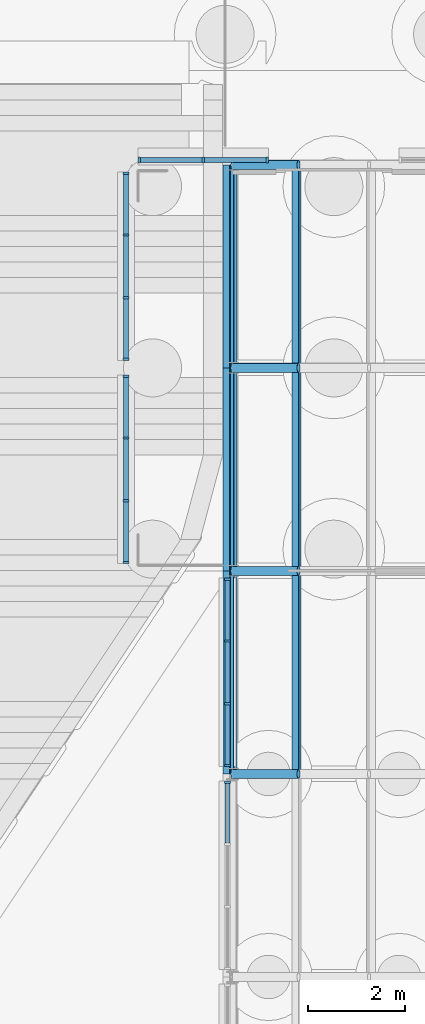
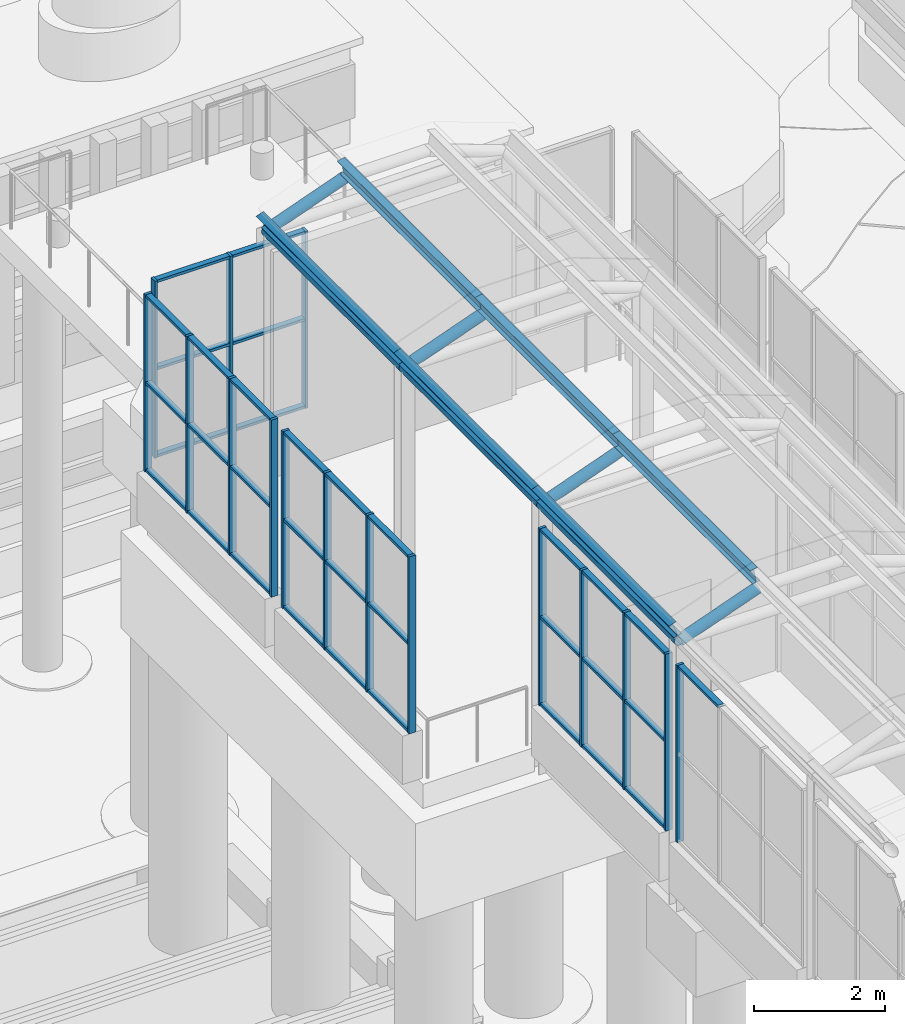
# One storey, part 63 of 222: 56 members, 7 beams, 5 elements without a shape of their own.
"""IFC4 building model written with IfcOpenShell, lengths in metres."""

from ifc_helpers import new_model, si_unit, direction, frame, origin, origin_2d, place, context, subcontext, project, spatial, rectangle, hollow_circle, i_section, extrude, material, material_profile, profile_set, type_object, element, aggregate, save


model = new_model("IFC4")

# Units and contexts
model_context = context("Model", 3, precision=1e-05, world=origin(), true_north=direction((0.0, 1.0)))
body_context = subcontext(model_context, "Body", "Model", "MODEL_VIEW")
ifc_project = project(units=[si_unit("LENGTHUNIT", "METRE"), si_unit("AREAUNIT", "SQUARE_METRE"), si_unit("VOLUMEUNIT", "CUBIC_METRE"), si_unit("PLANEANGLEUNIT", "RADIAN"), si_unit("MASSUNIT", "GRAM", prefix="KILO")], contexts=[model_context])

# Site, building, storey
site_placement = place(None, origin())
site = spatial("IfcSite", under=ifc_project, at=site_placement, CompositionType="ELEMENT")
building_placement = place(site_placement, origin())
building = spatial("IfcBuilding", under=site, at=building_placement, Name="Sava Quay Ferry Terminal", CompositionType="ELEMENT")
storey_placement = place(building_placement, origin())
storey = spatial("IfcBuildingStorey", under=building, at=storey_placement, Name="L00", CompositionType="ELEMENT", Elevation=0.0)

# Beams
ifc_material_1 = material(Name="Steel S355", Category="steel")
ifc_material_profile_1 = material_profile(ifc_material_1, hollow_circle(Radius=0.096923828125, WallThickness=0.008056640625, at=origin_2d()), Name="CHS 193.7 x 8.0")
ifc_profile_set_1 = profile_set([ifc_material_profile_1], Name="Steel S355")
beam_type_1 = type_object("IfcBeamType", Name="Gallery eave beam CHS 193.7x8", PredefinedType="BEAM", material=ifc_profile_set_1)
beam_1_placement = place(storey_placement, frame((46.199951171875, 130.199951171875, 4.5), z_axis=(0.0, 1.0, 0.0), x_axis=(-1.0, 0.0, 0.0)))
element("IfcBeam", 1, at=beam_1_placement, inside=storey, type_object=beam_type_1, Name="Boarding gallery B1 eave beam L6", PredefinedType="BEAM", context=body_context, shape_type="SweptSolid", body=[
    extrude(hollow_circle(Radius=0.096923828125, WallThickness=0.008056640625, at=origin_2d()), origin(), (0.0, 0.0, 1.0), 4.199951171875),
])
beam_2_placement = place(storey_placement, frame((46.199951171875, 134.39990234375, 4.5), z_axis=(0.0, 1.0, 0.0), x_axis=(-1.0, 0.0, 0.0)))
element("IfcBeam", 2, at=beam_2_placement, inside=storey, type_object=beam_type_1, Name="Boarding gallery B1 eave beam L7", PredefinedType="BEAM", context=body_context, shape_type="SweptSolid", body=[
    extrude(hollow_circle(Radius=0.096923828125, WallThickness=0.008056640625, at=origin_2d()), origin(), (0.0, 0.0, 1.0), 4.2001953125),
])
beam_3_placement = place(storey_placement, frame((46.199951171875, 138.60009765625, 4.5), z_axis=(0.0, 1.0, 0.0), x_axis=(-1.0, 0.0, 0.0)))
element("IfcBeam", 3, at=beam_3_placement, inside=storey, type_object=beam_type_1, Name="Boarding gallery B1 eave beam L8", PredefinedType="BEAM", context=body_context, shape_type="SweptSolid", body=[
    extrude(hollow_circle(Radius=0.096923828125, WallThickness=0.008056640625, at=origin_2d()), origin(), (0.0, 0.0, 1.0), 4.199951171875),
])

# Members
ifc_material_2 = material(Name="Steel S355", Category="steel")
ifc_material_profile_2 = material_profile(ifc_material_2, i_section(OverallWidth=0.135009765625, OverallDepth=0.27001953125, WebThickness=0.006591796875, FlangeThickness=0.01025390625, at=origin_2d()), Name="IPE 270")
ifc_profile_set_2 = profile_set([ifc_material_profile_2], Name="Steel S355")
member_type_1 = type_object("IfcMemberType", Name="Gallery purlin IPE 270", PredefinedType="PURLIN", material=ifc_profile_set_2)
for number, where, z_axis, x_axis, name in (
    (4, (46.12060546875, 130.199951171875, 4.718017578125), (0.0, 1.0, 0.0), (-0.939692620786, 0.0, -0.342020143326), "Boarding gallery B1 edge purlin bay 6 V0"),
    (5, (47.52978515625, 130.199951171875, 5.230712890625), (0.0, 1.0, 0.0), (-0.984807753012, 0.0, -0.173648177667), "Boarding gallery B1 purlin bay 6 V1"),
):
    element("IfcMember", number, at=place(storey_placement, frame(where, z_axis=z_axis, x_axis=x_axis)), inside=storey, type_object=member_type_1, Name=name, PredefinedType="PURLIN", context=body_context, shape_type="SweptSolid", body=[
        extrude(i_section(OverallWidth=0.135009765625, OverallDepth=0.27001953125, WebThickness=0.006591796875, FlangeThickness=0.01025390625, at=origin_2d()), origin(), (0.0, 0.0, 1.0), 4.199951171875),
    ])
for number, where, z_axis, x_axis, name in (
    (6, (46.12060546875, 134.39990234375, 4.718017578125), (0.0, 1.0, 0.0), (-0.939692620786, 0.0, -0.342020143326), "Boarding gallery B1 edge purlin bay 7 V0"),
    (7, (47.52978515625, 134.39990234375, 5.230712890625), (0.0, 1.0, 0.0), (-0.984807753012, 0.0, -0.173648177667), "Boarding gallery B1 purlin bay 7 V1"),
):
    element("IfcMember", number, at=place(storey_placement, frame(where, z_axis=z_axis, x_axis=x_axis)), inside=storey, type_object=member_type_1, Name=name, PredefinedType="PURLIN", context=body_context, shape_type="SweptSolid", body=[
        extrude(i_section(OverallWidth=0.135009765625, OverallDepth=0.27001953125, WebThickness=0.006591796875, FlangeThickness=0.01025390625, at=origin_2d()), origin(), (0.0, 0.0, 1.0), 4.2001953125),
    ])
for number, where, z_axis, x_axis, name in (
    (8, (46.12060546875, 138.60009765625, 4.718017578125), (0.0, 1.0, 0.0), (-0.939692620786, 0.0, -0.342020143326), "Boarding gallery B1 edge purlin bay 8 V0"),
    (9, (47.52978515625, 138.60009765625, 5.230712890625), (0.0, 1.0, 0.0), (-0.984807753012, 0.0, -0.173648177667), "Boarding gallery B1 purlin bay 8 V1"),
):
    element("IfcMember", number, at=place(storey_placement, frame(where, z_axis=z_axis, x_axis=x_axis)), inside=storey, type_object=member_type_1, Name=name, PredefinedType="PURLIN", context=body_context, shape_type="SweptSolid", body=[
        extrude(i_section(OverallWidth=0.135009765625, OverallDepth=0.27001953125, WebThickness=0.006591796875, FlangeThickness=0.01025390625, at=origin_2d()), origin(), (0.0, 0.0, 1.0), 4.199951171875),
    ])

# Beams
ifc_material_3 = material(Name="Steel S355", Category="steel")
ifc_material_profile_3 = material_profile(ifc_material_3, hollow_circle(Radius=0.096923828125, WallThickness=0.008056640625, at=origin_2d()), Name="CHS 193.7 x 8.0")
ifc_profile_set_3 = profile_set([ifc_material_profile_3], Name="Steel S355")
beam_type_2 = type_object("IfcBeamType", Name="Gallery rib CHS 193.7x8", PredefinedType="BEAM", material=ifc_profile_set_3)
for number, where, z_axis, x_axis, name in (
    (10, (46.199951171875, 130.199951171875, 4.5), (0.939710313144, 0.0, 0.341971530059), (0.0, 1.0, 0.0), "Boarding gallery B1 arch rib R5 seg 1"),
    (11, (46.199951171875, 134.39990234375, 4.5), (0.939710313144, 0.0, 0.341971530059), (0.0, 1.0, 0.0), "Boarding gallery B1 arch rib R6 seg 1"),
    (12, (46.199951171875, 138.60009765625, 4.5), (0.939710313144, 0.0, 0.341971530059), (0.0, 1.0, 0.0), "Boarding gallery B1 arch rib R7 seg 1"),
    (13, (46.199951171875, 142.800048828125, 4.5), (0.939710313144, 0.0, 0.341971530059), (0.0, 1.0, 0.0), "Boarding gallery B1 arch rib R8 seg 1"),
):
    element("IfcBeam", number, at=place(storey_placement, frame(where, z_axis=z_axis, x_axis=x_axis)), inside=storey, type_object=beam_type_2, Name=name, PredefinedType="BEAM", context=body_context, shape_type="SweptSolid", body=[
        extrude(hollow_circle(Radius=0.096923828125, WallThickness=0.008056640625, at=origin_2d()), origin(), (0.0, 0.0, 1.0), 1.45849609375),
    ])

# Curtain wall, members
ifc_material_4 = material(Name="Aluminium and glass curtain wall, double glazed", Category="aluminium")
curtain_wall_type = type_object("IfcCurtainWallType", Name="Curtain wall CW-B gallery", PredefinedType="NOTDEFINED", material=ifc_material_4)
curtain_wall_1_placement = place(storey_placement, origin())
curtain_wall_1 = element("IfcCurtainWall", 14, at=curtain_wall_1_placement, inside=storey, type_object=curtain_wall_type, Name="Curtain wall B1-HN L00 bay 1", PredefinedType="NOTDEFINED")
ifc_material_5 = material(Name="Aluminium EN AW-6063 T6", Category="aluminium")
ifc_material_profile_4 = material_profile(ifc_material_5, rectangle(XDim=0.1201171875, YDim=0.050048828125, at=origin_2d()), Name="Mullion 50x120 aluminium")
ifc_profile_set_4 = profile_set([ifc_material_profile_4], Name="Aluminium EN AW-6063 T6")
member_type_2 = type_object("IfcMemberType", Name="Mullion 50x120 aluminium", PredefinedType="MULLION", material=ifc_profile_set_4)
member_1_placement = place(storey_placement, frame((44.27490234375, 142.89990234375, 0.89990234375), z_axis=(0.0, 0.0, 1.0), x_axis=(0.0, 1.0, 0.0)))
member_1 = element("IfcMember", 15, at=member_1_placement, type_object=member_type_2, Name="CW9 mullion 1", PredefinedType="MULLION", context=body_context, shape_type="SweptSolid", body=[
    extrude(rectangle(XDim=0.1201171875, YDim=0.050048828125, at=origin_2d()), origin(), (0.0, 0.0, 1.0), 3.300048828125),
])
member_2_placement = place(storey_placement, frame((45.60009765625, 142.89990234375, 0.89990234375), z_axis=(0.0, 0.0, 1.0), x_axis=(0.0, 1.0, 0.0)))
member_2 = element("IfcMember", 16, at=member_2_placement, type_object=member_type_2, Name="CW9 mullion 2", PredefinedType="MULLION", context=body_context, shape_type="SweptSolid", body=[
    extrude(rectangle(XDim=0.1201171875, YDim=0.050048828125, at=origin_2d()), origin(), (0.0, 0.0, 1.0), 3.300048828125),
])
member_3_placement = place(storey_placement, frame((46.925048828125, 142.89990234375, 0.89990234375), z_axis=(0.0, 0.0, 1.0), x_axis=(0.0, 1.0, 0.0)))
member_3 = element("IfcMember", 17, at=member_3_placement, type_object=member_type_2, Name="CW9 mullion 3", PredefinedType="MULLION", context=body_context, shape_type="SweptSolid", body=[
    extrude(rectangle(XDim=0.1201171875, YDim=0.050048828125, at=origin_2d()), origin(), (0.0, 0.0, 1.0), 3.300048828125),
])

curtain_wall_2_placement = place(storey_placement, origin())
curtain_wall_2 = element("IfcCurtainWall", 18, at=curtain_wall_2_placement, inside=storey, type_object=curtain_wall_type, Name="Curtain wall B1-HW L00 bay 1", PredefinedType="NOTDEFINED")
member_4_placement = place(storey_placement, frame((44.0, 134.574951171875, 0.89990234375), z_axis=(0.0, 0.0, 1.0), x_axis=(-1.0, 0.0, 0.0)))
member_4 = element("IfcMember", 19, at=member_4_placement, type_object=member_type_2, Name="CW11 mullion 1", PredefinedType="MULLION", context=body_context, shape_type="SweptSolid", body=[
    extrude(rectangle(XDim=0.1201171875, YDim=0.050048828125, at=origin_2d()), origin(), (0.0, 0.0, 1.0), 3.300048828125),
])
member_5_placement = place(storey_placement, frame((44.0, 135.85009765625, 0.89990234375), z_axis=(0.0, 0.0, 1.0), x_axis=(-1.0, 0.0, 0.0)))
member_5 = element("IfcMember", 20, at=member_5_placement, type_object=member_type_2, Name="CW11 mullion 2", PredefinedType="MULLION", context=body_context, shape_type="SweptSolid", body=[
    extrude(rectangle(XDim=0.1201171875, YDim=0.050048828125, at=origin_2d()), origin(), (0.0, 0.0, 1.0), 3.300048828125),
])
member_6_placement = place(storey_placement, frame((44.0, 137.14990234375, 0.89990234375), z_axis=(0.0, 0.0, 1.0), x_axis=(-1.0, 0.0, 0.0)))
member_6 = element("IfcMember", 21, at=member_6_placement, type_object=member_type_2, Name="CW11 mullion 3", PredefinedType="MULLION", context=body_context, shape_type="SweptSolid", body=[
    extrude(rectangle(XDim=0.1201171875, YDim=0.050048828125, at=origin_2d()), origin(), (0.0, 0.0, 1.0), 3.300048828125),
])
member_7_placement = place(storey_placement, frame((44.0, 138.425048828125, 0.89990234375), z_axis=(0.0, 0.0, 1.0), x_axis=(-1.0, 0.0, 0.0)))
member_7 = element("IfcMember", 22, at=member_7_placement, type_object=member_type_2, Name="CW11 mullion 4", PredefinedType="MULLION", context=body_context, shape_type="SweptSolid", body=[
    extrude(rectangle(XDim=0.1201171875, YDim=0.050048828125, at=origin_2d()), origin(), (0.0, 0.0, 1.0), 3.300048828125),
])

curtain_wall_3_placement = place(storey_placement, origin())
curtain_wall_3 = element("IfcCurtainWall", 23, at=curtain_wall_3_placement, inside=storey, type_object=curtain_wall_type, Name="Curtain wall B1-HW L00 bay 2", PredefinedType="NOTDEFINED")
member_8_placement = place(storey_placement, frame((44.0, 138.77490234375, 0.89990234375), z_axis=(0.0, 0.0, 1.0), x_axis=(-1.0, 0.0, 0.0)))
member_8 = element("IfcMember", 24, at=member_8_placement, type_object=member_type_2, Name="CW12 mullion 1", PredefinedType="MULLION", context=body_context, shape_type="SweptSolid", body=[
    extrude(rectangle(XDim=0.1201171875, YDim=0.050048828125, at=origin_2d()), origin(), (0.0, 0.0, 1.0), 3.300048828125),
])
member_9_placement = place(storey_placement, frame((44.0, 140.050048828125, 0.89990234375), z_axis=(0.0, 0.0, 1.0), x_axis=(-1.0, 0.0, 0.0)))
member_9 = element("IfcMember", 25, at=member_9_placement, type_object=member_type_2, Name="CW12 mullion 2", PredefinedType="MULLION", context=body_context, shape_type="SweptSolid", body=[
    extrude(rectangle(XDim=0.1201171875, YDim=0.050048828125, at=origin_2d()), origin(), (0.0, 0.0, 1.0), 3.300048828125),
])
member_10_placement = place(storey_placement, frame((44.0, 141.35009765625, 0.89990234375), z_axis=(0.0, 0.0, 1.0), x_axis=(-1.0, 0.0, 0.0)))
member_10 = element("IfcMember", 26, at=member_10_placement, type_object=member_type_2, Name="CW12 mullion 3", PredefinedType="MULLION", context=body_context, shape_type="SweptSolid", body=[
    extrude(rectangle(XDim=0.1201171875, YDim=0.050048828125, at=origin_2d()), origin(), (0.0, 0.0, 1.0), 3.300048828125),
])
member_11_placement = place(storey_placement, frame((44.0, 142.625, 0.89990234375), z_axis=(0.0, 0.0, 1.0), x_axis=(-1.0, 0.0, 0.0)))
member_11 = element("IfcMember", 27, at=member_11_placement, type_object=member_type_2, Name="CW12 mullion 4", PredefinedType="MULLION", context=body_context, shape_type="SweptSolid", body=[
    extrude(rectangle(XDim=0.1201171875, YDim=0.050048828125, at=origin_2d()), origin(), (0.0, 0.0, 1.0), 3.300048828125),
])

# Curtain wall, member
curtain_wall_4_placement = place(storey_placement, origin())
curtain_wall_4 = element("IfcCurtainWall", 28, at=curtain_wall_4_placement, inside=storey, type_object=curtain_wall_type, Name="Curtain wall B1-W L00 bay 5", PredefinedType="NOTDEFINED")
member_12_placement = place(storey_placement, frame((46.10009765625, 130.02490234375, 0.89990234375), z_axis=(0.0, 0.0, 1.0), x_axis=(-1.0, 0.0, 0.0)))
member_12 = element("IfcMember", 29, at=member_12_placement, type_object=member_type_2, Name="CW17 mullion 4", PredefinedType="MULLION", context=body_context, shape_type="SweptSolid", body=[
    extrude(rectangle(XDim=0.1201171875, YDim=0.050048828125, at=origin_2d()), origin(), (0.0, 0.0, 1.0), 3.300048828125),
])

# Curtain wall, members
curtain_wall_5_placement = place(storey_placement, origin())
curtain_wall_5 = element("IfcCurtainWall", 30, at=curtain_wall_5_placement, inside=storey, type_object=curtain_wall_type, Name="Curtain wall B1-W L00 bay 6", PredefinedType="NOTDEFINED")
member_13_placement = place(storey_placement, frame((46.10009765625, 130.375, 0.89990234375), z_axis=(0.0, 0.0, 1.0), x_axis=(-1.0, 0.0, 0.0)))
member_13 = element("IfcMember", 31, at=member_13_placement, type_object=member_type_2, Name="CW18 mullion 1", PredefinedType="MULLION", context=body_context, shape_type="SweptSolid", body=[
    extrude(rectangle(XDim=0.1201171875, YDim=0.050048828125, at=origin_2d()), origin(), (0.0, 0.0, 1.0), 3.300048828125),
])
member_14_placement = place(storey_placement, frame((46.10009765625, 131.64990234375, 0.89990234375), z_axis=(0.0, 0.0, 1.0), x_axis=(-1.0, 0.0, 0.0)))
member_14 = element("IfcMember", 32, at=member_14_placement, type_object=member_type_2, Name="CW18 mullion 2", PredefinedType="MULLION", context=body_context, shape_type="SweptSolid", body=[
    extrude(rectangle(XDim=0.1201171875, YDim=0.050048828125, at=origin_2d()), origin(), (0.0, 0.0, 1.0), 3.300048828125),
])
member_15_placement = place(storey_placement, frame((46.10009765625, 132.949951171875, 0.89990234375), z_axis=(0.0, 0.0, 1.0), x_axis=(-1.0, 0.0, 0.0)))
member_15 = element("IfcMember", 33, at=member_15_placement, type_object=member_type_2, Name="CW18 mullion 3", PredefinedType="MULLION", context=body_context, shape_type="SweptSolid", body=[
    extrude(rectangle(XDim=0.1201171875, YDim=0.050048828125, at=origin_2d()), origin(), (0.0, 0.0, 1.0), 3.300048828125),
])
member_16_placement = place(storey_placement, frame((46.10009765625, 134.22509765625, 0.89990234375), z_axis=(0.0, 0.0, 1.0), x_axis=(-1.0, 0.0, 0.0)))
member_16 = element("IfcMember", 34, at=member_16_placement, type_object=member_type_2, Name="CW18 mullion 4", PredefinedType="MULLION", context=body_context, shape_type="SweptSolid", body=[
    extrude(rectangle(XDim=0.1201171875, YDim=0.050048828125, at=origin_2d()), origin(), (0.0, 0.0, 1.0), 3.300048828125),
])

# Member
ifc_material_6 = material(Name="Aluminium EN AW-6063 T6", Category="aluminium")
ifc_material_profile_5 = material_profile(ifc_material_6, rectangle(XDim=0.10009765625, YDim=0.050048828125, at=origin_2d()), Name="Transom 50x100 aluminium")
ifc_profile_set_5 = profile_set([ifc_material_profile_5], Name="Aluminium EN AW-6063 T6")
member_type_3 = type_object("IfcMemberType", Name="Transom 50x100 aluminium", PredefinedType="USERDEFINED", material=ifc_profile_set_5)
member_17_placement = place(storey_placement, frame((44.300048828125, 142.89990234375, 0.925048828125), z_axis=(1.0, 0.0, 0.0), x_axis=(0.0, 1.0, 0.0)))
member_17 = element("IfcMember", 35, at=member_17_placement, type_object=member_type_3, Name="CW9 transom 1.1", ObjectType="TRANSOM", PredefinedType="USERDEFINED", context=body_context, shape_type="SweptSolid", body=[
    extrude(rectangle(XDim=0.10009765625, YDim=0.050048828125, at=origin_2d()), origin(), (0.0, 0.0, 1.0), 1.27490234375),
])

member_18_placement = place(storey_placement, frame((44.300048828125, 142.89990234375, 2.550048828125), z_axis=(1.0, 0.0, 0.0), x_axis=(0.0, 1.0, 0.0)))
member_18 = element("IfcMember", 36, at=member_18_placement, type_object=member_type_3, Name="CW9 transom 1.2", ObjectType="TRANSOM", PredefinedType="USERDEFINED", context=body_context, shape_type="SweptSolid", body=[
    extrude(rectangle(XDim=0.10009765625, YDim=0.050048828125, at=origin_2d()), origin(), (0.0, 0.0, 1.0), 1.27490234375),
])

member_19_placement = place(storey_placement, frame((44.300048828125, 142.89990234375, 4.175048828125), z_axis=(1.0, 0.0, 0.0), x_axis=(0.0, 1.0, 0.0)))
member_19 = element("IfcMember", 37, at=member_19_placement, type_object=member_type_3, Name="CW9 transom 1.3", ObjectType="TRANSOM", PredefinedType="USERDEFINED", context=body_context, shape_type="SweptSolid", body=[
    extrude(rectangle(XDim=0.10009765625, YDim=0.050048828125, at=origin_2d()), origin(), (0.0, 0.0, 1.0), 1.27490234375),
])

member_20_placement = place(storey_placement, frame((45.625, 142.89990234375, 0.925048828125), z_axis=(1.0, 0.0, 0.0), x_axis=(0.0, 1.0, 0.0)))
member_20 = element("IfcMember", 38, at=member_20_placement, type_object=member_type_3, Name="CW9 transom 2.1", ObjectType="TRANSOM", PredefinedType="USERDEFINED", context=body_context, shape_type="SweptSolid", body=[
    extrude(rectangle(XDim=0.10009765625, YDim=0.050048828125, at=origin_2d()), origin(), (0.0, 0.0, 1.0), 1.27490234375),
])

member_21_placement = place(storey_placement, frame((45.625, 142.89990234375, 2.550048828125), z_axis=(1.0, 0.0, 0.0), x_axis=(0.0, 1.0, 0.0)))
member_21 = element("IfcMember", 39, at=member_21_placement, type_object=member_type_3, Name="CW9 transom 2.2", ObjectType="TRANSOM", PredefinedType="USERDEFINED", context=body_context, shape_type="SweptSolid", body=[
    extrude(rectangle(XDim=0.10009765625, YDim=0.050048828125, at=origin_2d()), origin(), (0.0, 0.0, 1.0), 1.27490234375),
])

member_22_placement = place(storey_placement, frame((45.625, 142.89990234375, 4.175048828125), z_axis=(1.0, 0.0, 0.0), x_axis=(0.0, 1.0, 0.0)))
member_22 = element("IfcMember", 40, at=member_22_placement, type_object=member_type_3, Name="CW9 transom 2.3", ObjectType="TRANSOM", PredefinedType="USERDEFINED", context=body_context, shape_type="SweptSolid", body=[
    extrude(rectangle(XDim=0.10009765625, YDim=0.050048828125, at=origin_2d()), origin(), (0.0, 0.0, 1.0), 1.27490234375),
])

aggregate(curtain_wall_1, [member_1, member_2, member_3, member_17, member_18, member_19, member_20, member_21, member_22])

member_23_placement = place(storey_placement, frame((44.0, 134.60009765625, 0.925048828125), z_axis=(0.0, 1.0, 0.0), x_axis=(-1.0, 0.0, 0.0)))
member_23 = element("IfcMember", 41, at=member_23_placement, type_object=member_type_3, Name="CW11 transom 1.1", ObjectType="TRANSOM", PredefinedType="USERDEFINED", context=body_context, shape_type="SweptSolid", body=[
    extrude(rectangle(XDim=0.10009765625, YDim=0.050048828125, at=origin_2d()), origin(), (0.0, 0.0, 1.0), 1.224853515625),
])

member_24_placement = place(storey_placement, frame((44.0, 134.60009765625, 2.550048828125), z_axis=(0.0, 1.0, 0.0), x_axis=(-1.0, 0.0, 0.0)))
member_24 = element("IfcMember", 42, at=member_24_placement, type_object=member_type_3, Name="CW11 transom 1.2", ObjectType="TRANSOM", PredefinedType="USERDEFINED", context=body_context, shape_type="SweptSolid", body=[
    extrude(rectangle(XDim=0.10009765625, YDim=0.050048828125, at=origin_2d()), origin(), (0.0, 0.0, 1.0), 1.224853515625),
])

member_25_placement = place(storey_placement, frame((44.0, 134.60009765625, 4.175048828125), z_axis=(0.0, 1.0, 0.0), x_axis=(-1.0, 0.0, 0.0)))
member_25 = element("IfcMember", 43, at=member_25_placement, type_object=member_type_3, Name="CW11 transom 1.3", ObjectType="TRANSOM", PredefinedType="USERDEFINED", context=body_context, shape_type="SweptSolid", body=[
    extrude(rectangle(XDim=0.10009765625, YDim=0.050048828125, at=origin_2d()), origin(), (0.0, 0.0, 1.0), 1.224853515625),
])

member_26_placement = place(storey_placement, frame((44.0, 135.875, 0.925048828125), z_axis=(0.0, 1.0, 0.0), x_axis=(-1.0, 0.0, 0.0)))
member_26 = element("IfcMember", 44, at=member_26_placement, type_object=member_type_3, Name="CW11 transom 2.1", ObjectType="TRANSOM", PredefinedType="USERDEFINED", context=body_context, shape_type="SweptSolid", body=[
    extrude(rectangle(XDim=0.10009765625, YDim=0.050048828125, at=origin_2d()), origin(), (0.0, 0.0, 1.0), 1.25),
])

member_27_placement = place(storey_placement, frame((44.0, 135.875, 2.550048828125), z_axis=(0.0, 1.0, 0.0), x_axis=(-1.0, 0.0, 0.0)))
member_27 = element("IfcMember", 45, at=member_27_placement, type_object=member_type_3, Name="CW11 transom 2.2", ObjectType="TRANSOM", PredefinedType="USERDEFINED", context=body_context, shape_type="SweptSolid", body=[
    extrude(rectangle(XDim=0.10009765625, YDim=0.050048828125, at=origin_2d()), origin(), (0.0, 0.0, 1.0), 1.25),
])

member_28_placement = place(storey_placement, frame((44.0, 135.875, 4.175048828125), z_axis=(0.0, 1.0, 0.0), x_axis=(-1.0, 0.0, 0.0)))
member_28 = element("IfcMember", 46, at=member_28_placement, type_object=member_type_3, Name="CW11 transom 2.3", ObjectType="TRANSOM", PredefinedType="USERDEFINED", context=body_context, shape_type="SweptSolid", body=[
    extrude(rectangle(XDim=0.10009765625, YDim=0.050048828125, at=origin_2d()), origin(), (0.0, 0.0, 1.0), 1.25),
])

member_29_placement = place(storey_placement, frame((44.0, 137.175048828125, 0.925048828125), z_axis=(0.0, 1.0, 0.0), x_axis=(-1.0, 0.0, 0.0)))
member_29 = element("IfcMember", 47, at=member_29_placement, type_object=member_type_3, Name="CW11 transom 3.1", ObjectType="TRANSOM", PredefinedType="USERDEFINED", context=body_context, shape_type="SweptSolid", body=[
    extrude(rectangle(XDim=0.10009765625, YDim=0.050048828125, at=origin_2d()), origin(), (0.0, 0.0, 1.0), 1.224853515625),
])

member_30_placement = place(storey_placement, frame((44.0, 137.175048828125, 2.550048828125), z_axis=(0.0, 1.0, 0.0), x_axis=(-1.0, 0.0, 0.0)))
member_30 = element("IfcMember", 48, at=member_30_placement, type_object=member_type_3, Name="CW11 transom 3.2", ObjectType="TRANSOM", PredefinedType="USERDEFINED", context=body_context, shape_type="SweptSolid", body=[
    extrude(rectangle(XDim=0.10009765625, YDim=0.050048828125, at=origin_2d()), origin(), (0.0, 0.0, 1.0), 1.224853515625),
])

member_31_placement = place(storey_placement, frame((44.0, 137.175048828125, 4.175048828125), z_axis=(0.0, 1.0, 0.0), x_axis=(-1.0, 0.0, 0.0)))
member_31 = element("IfcMember", 49, at=member_31_placement, type_object=member_type_3, Name="CW11 transom 3.3", ObjectType="TRANSOM", PredefinedType="USERDEFINED", context=body_context, shape_type="SweptSolid", body=[
    extrude(rectangle(XDim=0.10009765625, YDim=0.050048828125, at=origin_2d()), origin(), (0.0, 0.0, 1.0), 1.224853515625),
])

aggregate(curtain_wall_2, [member_4, member_5, member_6, member_7, member_23, member_24, member_25, member_26, member_27, member_28, member_29, member_30, member_31])

member_32_placement = place(storey_placement, frame((44.0, 138.800048828125, 0.925048828125), z_axis=(0.0, 1.0, 0.0), x_axis=(-1.0, 0.0, 0.0)))
member_32 = element("IfcMember", 50, at=member_32_placement, type_object=member_type_3, Name="CW12 transom 1.1", ObjectType="TRANSOM", PredefinedType="USERDEFINED", context=body_context, shape_type="SweptSolid", body=[
    extrude(rectangle(XDim=0.10009765625, YDim=0.050048828125, at=origin_2d()), origin(), (0.0, 0.0, 1.0), 1.224853515625),
])

member_33_placement = place(storey_placement, frame((44.0, 138.800048828125, 2.550048828125), z_axis=(0.0, 1.0, 0.0), x_axis=(-1.0, 0.0, 0.0)))
member_33 = element("IfcMember", 51, at=member_33_placement, type_object=member_type_3, Name="CW12 transom 1.2", ObjectType="TRANSOM", PredefinedType="USERDEFINED", context=body_context, shape_type="SweptSolid", body=[
    extrude(rectangle(XDim=0.10009765625, YDim=0.050048828125, at=origin_2d()), origin(), (0.0, 0.0, 1.0), 1.224853515625),
])

member_34_placement = place(storey_placement, frame((44.0, 138.800048828125, 4.175048828125), z_axis=(0.0, 1.0, 0.0), x_axis=(-1.0, 0.0, 0.0)))
member_34 = element("IfcMember", 52, at=member_34_placement, type_object=member_type_3, Name="CW12 transom 1.3", ObjectType="TRANSOM", PredefinedType="USERDEFINED", context=body_context, shape_type="SweptSolid", body=[
    extrude(rectangle(XDim=0.10009765625, YDim=0.050048828125, at=origin_2d()), origin(), (0.0, 0.0, 1.0), 1.224853515625),
])

member_35_placement = place(storey_placement, frame((44.0, 140.074951171875, 0.925048828125), z_axis=(0.0, 1.0, 0.0), x_axis=(-1.0, 0.0, 0.0)))
member_35 = element("IfcMember", 53, at=member_35_placement, type_object=member_type_3, Name="CW12 transom 2.1", ObjectType="TRANSOM", PredefinedType="USERDEFINED", context=body_context, shape_type="SweptSolid", body=[
    extrude(rectangle(XDim=0.10009765625, YDim=0.050048828125, at=origin_2d()), origin(), (0.0, 0.0, 1.0), 1.25),
])

member_36_placement = place(storey_placement, frame((44.0, 140.074951171875, 2.550048828125), z_axis=(0.0, 1.0, 0.0), x_axis=(-1.0, 0.0, 0.0)))
member_36 = element("IfcMember", 54, at=member_36_placement, type_object=member_type_3, Name="CW12 transom 2.2", ObjectType="TRANSOM", PredefinedType="USERDEFINED", context=body_context, shape_type="SweptSolid", body=[
    extrude(rectangle(XDim=0.10009765625, YDim=0.050048828125, at=origin_2d()), origin(), (0.0, 0.0, 1.0), 1.25),
])

member_37_placement = place(storey_placement, frame((44.0, 140.074951171875, 4.175048828125), z_axis=(0.0, 1.0, 0.0), x_axis=(-1.0, 0.0, 0.0)))
member_37 = element("IfcMember", 55, at=member_37_placement, type_object=member_type_3, Name="CW12 transom 2.3", ObjectType="TRANSOM", PredefinedType="USERDEFINED", context=body_context, shape_type="SweptSolid", body=[
    extrude(rectangle(XDim=0.10009765625, YDim=0.050048828125, at=origin_2d()), origin(), (0.0, 0.0, 1.0), 1.25),
])

member_38_placement = place(storey_placement, frame((44.0, 141.375, 0.925048828125), z_axis=(0.0, 1.0, 0.0), x_axis=(-1.0, 0.0, 0.0)))
member_38 = element("IfcMember", 56, at=member_38_placement, type_object=member_type_3, Name="CW12 transom 3.1", ObjectType="TRANSOM", PredefinedType="USERDEFINED", context=body_context, shape_type="SweptSolid", body=[
    extrude(rectangle(XDim=0.10009765625, YDim=0.050048828125, at=origin_2d()), origin(), (0.0, 0.0, 1.0), 1.22509765625),
])

member_39_placement = place(storey_placement, frame((44.0, 141.375, 2.550048828125), z_axis=(0.0, 1.0, 0.0), x_axis=(-1.0, 0.0, 0.0)))
member_39 = element("IfcMember", 57, at=member_39_placement, type_object=member_type_3, Name="CW12 transom 3.2", ObjectType="TRANSOM", PredefinedType="USERDEFINED", context=body_context, shape_type="SweptSolid", body=[
    extrude(rectangle(XDim=0.10009765625, YDim=0.050048828125, at=origin_2d()), origin(), (0.0, 0.0, 1.0), 1.22509765625),
])

member_40_placement = place(storey_placement, frame((44.0, 141.375, 4.175048828125), z_axis=(0.0, 1.0, 0.0), x_axis=(-1.0, 0.0, 0.0)))
member_40 = element("IfcMember", 58, at=member_40_placement, type_object=member_type_3, Name="CW12 transom 3.3", ObjectType="TRANSOM", PredefinedType="USERDEFINED", context=body_context, shape_type="SweptSolid", body=[
    extrude(rectangle(XDim=0.10009765625, YDim=0.050048828125, at=origin_2d()), origin(), (0.0, 0.0, 1.0), 1.22509765625),
])

aggregate(curtain_wall_3, [member_8, member_9, member_10, member_11, member_32, member_33, member_34, member_35, member_36, member_37, member_38, member_39, member_40])

member_41_placement = place(storey_placement, frame((46.10009765625, 128.77490234375, 4.175048828125), z_axis=(0.0, 1.0, 0.0), x_axis=(-1.0, 0.0, 0.0)))
member_41 = element("IfcMember", 59, at=member_41_placement, type_object=member_type_3, Name="CW17 transom 3.3", ObjectType="TRANSOM", PredefinedType="USERDEFINED", context=body_context, shape_type="SweptSolid", body=[
    extrude(rectangle(XDim=0.10009765625, YDim=0.050048828125, at=origin_2d()), origin(), (0.0, 0.0, 1.0), 1.22509765625),
])

aggregate(curtain_wall_4, [member_12, member_41])

member_42_placement = place(storey_placement, frame((46.10009765625, 130.39990234375, 0.925048828125), z_axis=(0.0, 1.0, 0.0), x_axis=(-1.0, 0.0, 0.0)))
member_42 = element("IfcMember", 60, at=member_42_placement, type_object=member_type_3, Name="CW18 transom 1.1", ObjectType="TRANSOM", PredefinedType="USERDEFINED", context=body_context, shape_type="SweptSolid", body=[
    extrude(rectangle(XDim=0.10009765625, YDim=0.050048828125, at=origin_2d()), origin(), (0.0, 0.0, 1.0), 1.22509765625),
])

member_43_placement = place(storey_placement, frame((46.10009765625, 130.39990234375, 2.550048828125), z_axis=(0.0, 1.0, 0.0), x_axis=(-1.0, 0.0, 0.0)))
member_43 = element("IfcMember", 61, at=member_43_placement, type_object=member_type_3, Name="CW18 transom 1.2", ObjectType="TRANSOM", PredefinedType="USERDEFINED", context=body_context, shape_type="SweptSolid", body=[
    extrude(rectangle(XDim=0.10009765625, YDim=0.050048828125, at=origin_2d()), origin(), (0.0, 0.0, 1.0), 1.22509765625),
])

member_44_placement = place(storey_placement, frame((46.10009765625, 130.39990234375, 4.175048828125), z_axis=(0.0, 1.0, 0.0), x_axis=(-1.0, 0.0, 0.0)))
member_44 = element("IfcMember", 62, at=member_44_placement, type_object=member_type_3, Name="CW18 transom 1.3", ObjectType="TRANSOM", PredefinedType="USERDEFINED", context=body_context, shape_type="SweptSolid", body=[
    extrude(rectangle(XDim=0.10009765625, YDim=0.050048828125, at=origin_2d()), origin(), (0.0, 0.0, 1.0), 1.22509765625),
])

member_45_placement = place(storey_placement, frame((46.10009765625, 131.675048828125, 0.925048828125), z_axis=(0.0, 1.0, 0.0), x_axis=(-1.0, 0.0, 0.0)))
member_45 = element("IfcMember", 63, at=member_45_placement, type_object=member_type_3, Name="CW18 transom 2.1", ObjectType="TRANSOM", PredefinedType="USERDEFINED", context=body_context, shape_type="SweptSolid", body=[
    extrude(rectangle(XDim=0.10009765625, YDim=0.050048828125, at=origin_2d()), origin(), (0.0, 0.0, 1.0), 1.25),
])

member_46_placement = place(storey_placement, frame((46.10009765625, 131.675048828125, 2.550048828125), z_axis=(0.0, 1.0, 0.0), x_axis=(-1.0, 0.0, 0.0)))
member_46 = element("IfcMember", 64, at=member_46_placement, type_object=member_type_3, Name="CW18 transom 2.2", ObjectType="TRANSOM", PredefinedType="USERDEFINED", context=body_context, shape_type="SweptSolid", body=[
    extrude(rectangle(XDim=0.10009765625, YDim=0.050048828125, at=origin_2d()), origin(), (0.0, 0.0, 1.0), 1.25),
])

member_47_placement = place(storey_placement, frame((46.10009765625, 131.675048828125, 4.175048828125), z_axis=(0.0, 1.0, 0.0), x_axis=(-1.0, 0.0, 0.0)))
member_47 = element("IfcMember", 65, at=member_47_placement, type_object=member_type_3, Name="CW18 transom 2.3", ObjectType="TRANSOM", PredefinedType="USERDEFINED", context=body_context, shape_type="SweptSolid", body=[
    extrude(rectangle(XDim=0.10009765625, YDim=0.050048828125, at=origin_2d()), origin(), (0.0, 0.0, 1.0), 1.25),
])

member_48_placement = place(storey_placement, frame((46.10009765625, 132.97509765625, 0.925048828125), z_axis=(0.0, 1.0, 0.0), x_axis=(-1.0, 0.0, 0.0)))
member_48 = element("IfcMember", 66, at=member_48_placement, type_object=member_type_3, Name="CW18 transom 3.1", ObjectType="TRANSOM", PredefinedType="USERDEFINED", context=body_context, shape_type="SweptSolid", body=[
    extrude(rectangle(XDim=0.10009765625, YDim=0.050048828125, at=origin_2d()), origin(), (0.0, 0.0, 1.0), 1.224853515625),
])

member_49_placement = place(storey_placement, frame((46.10009765625, 132.97509765625, 2.550048828125), z_axis=(0.0, 1.0, 0.0), x_axis=(-1.0, 0.0, 0.0)))
member_49 = element("IfcMember", 67, at=member_49_placement, type_object=member_type_3, Name="CW18 transom 3.2", ObjectType="TRANSOM", PredefinedType="USERDEFINED", context=body_context, shape_type="SweptSolid", body=[
    extrude(rectangle(XDim=0.10009765625, YDim=0.050048828125, at=origin_2d()), origin(), (0.0, 0.0, 1.0), 1.224853515625),
])

member_50_placement = place(storey_placement, frame((46.10009765625, 132.97509765625, 4.175048828125), z_axis=(0.0, 1.0, 0.0), x_axis=(-1.0, 0.0, 0.0)))
member_50 = element("IfcMember", 68, at=member_50_placement, type_object=member_type_3, Name="CW18 transom 3.3", ObjectType="TRANSOM", PredefinedType="USERDEFINED", context=body_context, shape_type="SweptSolid", body=[
    extrude(rectangle(XDim=0.10009765625, YDim=0.050048828125, at=origin_2d()), origin(), (0.0, 0.0, 1.0), 1.224853515625),
])

aggregate(curtain_wall_5, [member_13, member_14, member_15, member_16, member_42, member_43, member_44, member_45, member_46, member_47, member_48, member_49, member_50])

save(model, "model.ifc")
